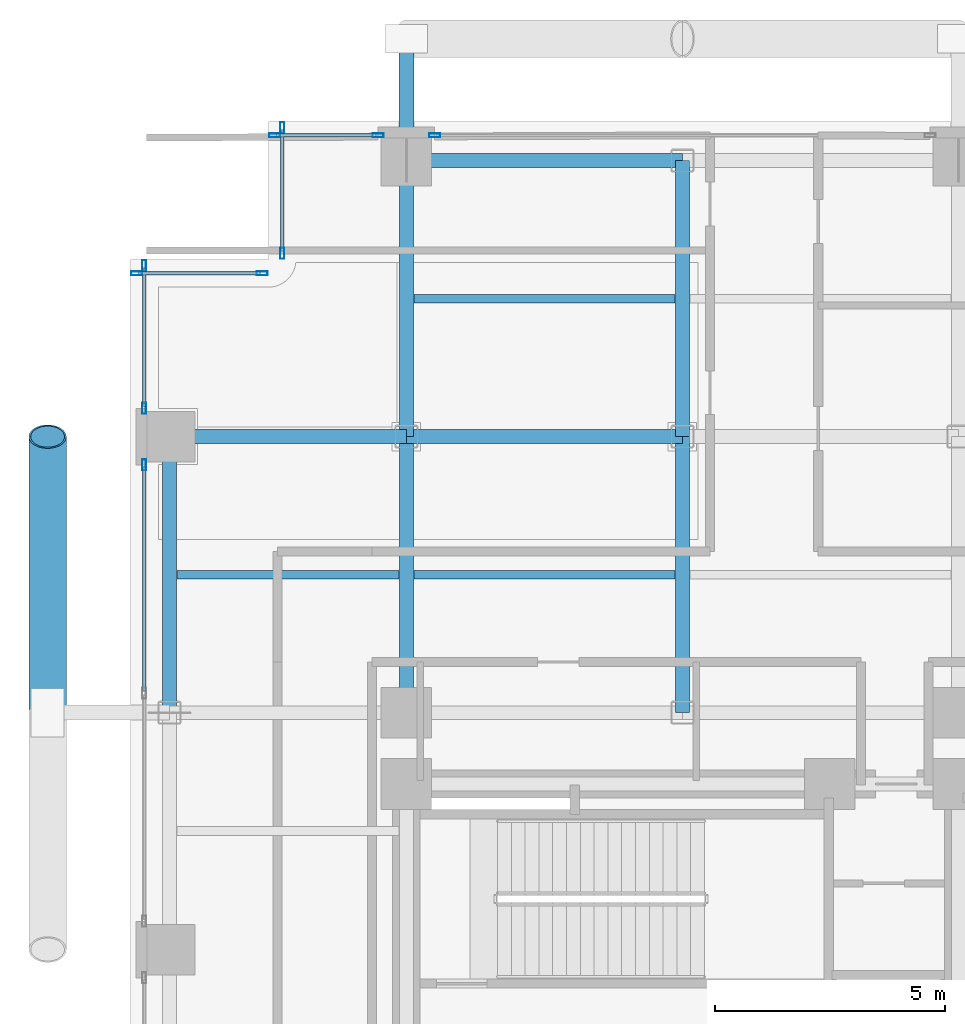
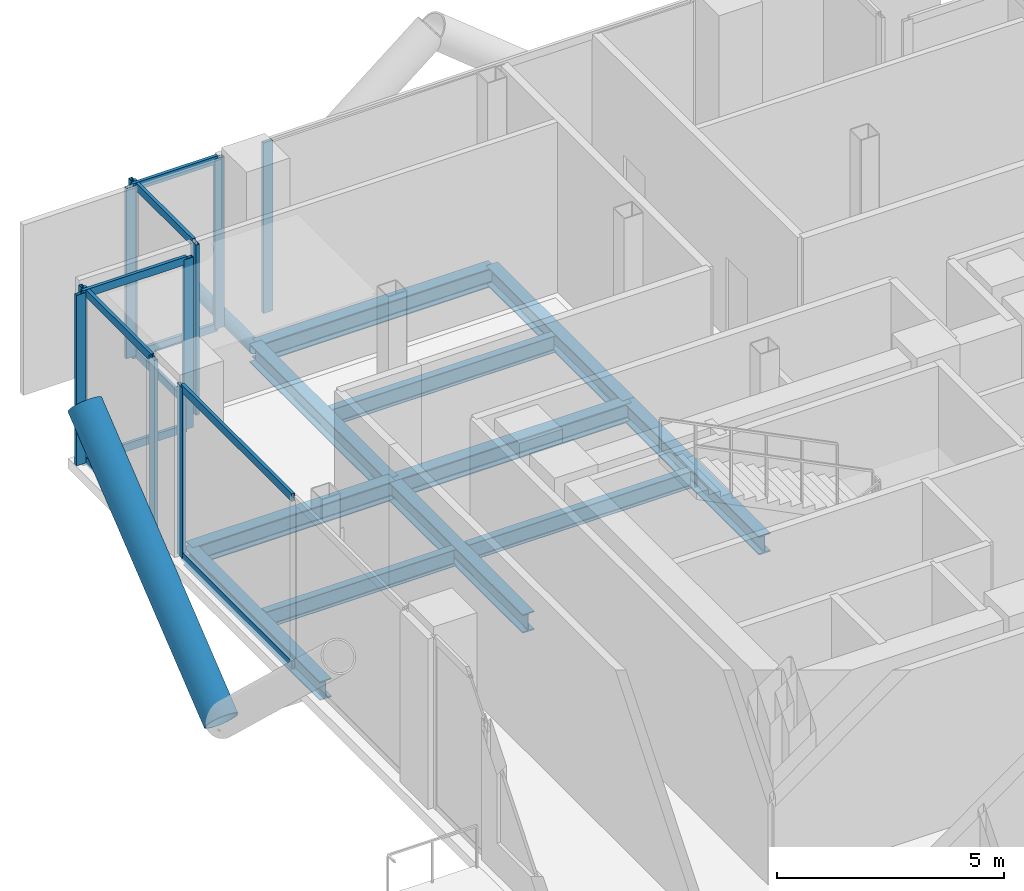
# One storey, part 12 of 25: 22 members, 11 beams, 6 elements without a shape of their own.
"""IFC4 building model written with IfcOpenShell, lengths in metres."""

from ifc_helpers import new_model, si_unit, direction, frame, origin, origin_2d, place, context, subcontext, project, spatial, hollow_rectangle, hollow_circle, i_section, extrude, material, layer, layer_set, material_profile, profile_set, type_object, element, aggregate, save


model = new_model("IFC4")

# Units and contexts
model_context = context("Model", 3, precision=1e-05, world=origin(), true_north=direction((0.0, 1.0)))
body_context = subcontext(model_context, "Body", "Model", "MODEL_VIEW")
ifc_project = project(units=[si_unit("LENGTHUNIT", "METRE"), si_unit("AREAUNIT", "SQUARE_METRE"), si_unit("VOLUMEUNIT", "CUBIC_METRE"), si_unit("PLANEANGLEUNIT", "RADIAN"), si_unit("MASSUNIT", "GRAM", prefix="KILO"), si_unit("THERMODYNAMICTEMPERATUREUNIT", "KELVIN"), si_unit("POWERUNIT", "WATT")], contexts=[model_context])

# Site, building, storey
site_placement = place(None, origin())
site = spatial("IfcSite", under=ifc_project, at=site_placement, CompositionType="ELEMENT")
building_placement = place(site_placement, origin())
building = spatial("IfcBuilding", under=site, at=building_placement, Name="Svarakhadi Broadcast Tower", CompositionType="ELEMENT")
storey_placement = place(building_placement, frame((0.0, 0.0, 110.85009765625)))
storey = spatial("IfcBuildingStorey", under=building, at=storey_placement, Name="L26", CompositionType="ELEMENT", Elevation=110.85009765625)

# Beams
ifc_material_1 = material(Name="Steel S355J2 (IS 2062 E350C)", Category="steel")
ifc_material_profile_1 = material_profile(ifc_material_1, i_section(OverallWidth=0.18994140625, OverallDepth=0.449951171875, WebThickness=0.009521484375, FlangeThickness=0.0146484375, FilletRadius=0.02099609375, at=origin_2d()), Name="NPB 450x190x78")
ifc_profile_set_1 = profile_set([ifc_material_profile_1], Name="Steel S355J2 (IS 2062 E350C)")
beam_type_1 = type_object("IfcBeamType", Name="Beam_NPB450", PredefinedType="BEAM", material=ifc_profile_set_1)
beam_1_placement = place(storey_placement, frame((1.010009765625, 32.14990234375, -0.5), z_axis=(1.0, 0.0, 0.0), x_axis=(0.0, 1.0, 0.0)))
element("IfcBeam", 1, at=beam_1_placement, inside=storey, type_object=beam_type_1, Name="L26 Secondary Composite Beam SB005", PredefinedType="BEAM", context=body_context, shape_type="SweptSolid", body=[
    extrude(i_section(OverallWidth=0.18994140625, OverallDepth=0.449951171875, WebThickness=0.009521484375, FlangeThickness=0.0146484375, FilletRadius=0.02099609375, at=origin_2d()), origin(), (0.0, 0.0, 1.0), 4.830078125),
])
for number, where, z_axis, x_axis, name in (
    (2, (6.159912109375, 32.14990234375, -0.5), (1.0, 0.0, 0.0), (0.0, 1.0, 0.0), "L26 Secondary Composite Beam SB009"),
    (3, (6.159912109375, 38.14990234375, -0.5), (1.0, 0.0, 0.0), (0.0, 1.0, 0.0), "L26 Secondary Composite Beam SB010"),
):
    element("IfcBeam", number, at=place(storey_placement, frame(where, z_axis=z_axis, x_axis=x_axis)), inside=storey, type_object=beam_type_1, Name=name, PredefinedType="BEAM", context=body_context, shape_type="SweptSolid", body=[
        extrude(i_section(OverallWidth=0.18994140625, OverallDepth=0.449951171875, WebThickness=0.009521484375, FlangeThickness=0.0146484375, FilletRadius=0.02099609375, at=origin_2d()), origin(), (0.0, 0.0, 1.0), 5.68017578125),
    ])

# Curtain wall, member
ifc_material_2 = material(Name="Anodised Bronze Aluminium AA 6063-T6", Category="aluminium")
ifc_layer = layer(ifc_material_2, 0.239990234375)
ifc_layer_set = layer_set([ifc_layer], Name="Anodised Bronze Aluminium AA 6063-T6")
curtain_wall_type = type_object("IfcCurtainWallType", Name="CW_Sys_06", PredefinedType="NOTDEFINED", material=ifc_layer_set)
curtain_wall_1_placement = place(storey_placement, origin())
curtain_wall_1 = element("IfcCurtainWall", 4, at=curtain_wall_1_placement, inside=storey, type_object=curtain_wall_type, Name="L26 West Curtain Wall 03 Bay 2", PredefinedType="NOTDEFINED")
ifc_material_profile_2 = material_profile(ifc_material_2, hollow_rectangle(XDim=0.090087890625, YDim=0.239990234375, WallThickness=0.006103515625, at=origin_2d()), Name="ALU MULLION 240x90x6")
ifc_profile_set_2 = profile_set([ifc_material_profile_2], Name="Anodised Bronze Aluminium AA 6063-T6")
member_type_1 = type_object("IfcMemberType", Name="CW_Sys_06_Mul", PredefinedType="MULLION", material=ifc_profile_set_2)
member_1_placement = place(storey_placement, frame((0.300048828125, 34.534912109375, 0.0), z_axis=(0.0, 0.0, 1.0), x_axis=(-1.0, 0.0, 0.0)))
member_1 = element("IfcMember", 5, at=member_1_placement, type_object=member_type_1, Name="CW-06 mullion 3", PredefinedType="MULLION", context=body_context, shape_type="SweptSolid", body=[
    extrude(hollow_rectangle(XDim=0.090087890625, YDim=0.239990234375, WallThickness=0.006103515625, at=origin_2d()), origin(), (0.0, 0.0, 1.0), 4.574951171875),
])

# Curtain wall, members
curtain_wall_2_placement = place(storey_placement, origin())
curtain_wall_2 = element("IfcCurtainWall", 6, at=curtain_wall_2_placement, inside=storey, type_object=curtain_wall_type, Name="L26 West Curtain Wall 03 Bay 3", PredefinedType="NOTDEFINED")
member_2_placement = place(storey_placement, frame((0.300048828125, 35.764892578125, 0.0), z_axis=(0.0, 0.0, 1.0), x_axis=(-1.0, 0.0, 0.0)))
member_2 = element("IfcMember", 7, at=member_2_placement, type_object=member_type_1, Name="CW-06 mullion 1", PredefinedType="MULLION", context=body_context, shape_type="SweptSolid", body=[
    extrude(hollow_rectangle(XDim=0.090087890625, YDim=0.239990234375, WallThickness=0.006103515625, at=origin_2d()), origin(), (0.0, 0.0, 1.0), 4.574951171875),
])
member_3_placement = place(storey_placement, frame((0.300048828125, 38.864990234375, 0.0), z_axis=(0.0, 0.0, 1.0), x_axis=(-1.0, 0.0, 0.0)))
member_3 = element("IfcMember", 8, at=member_3_placement, type_object=member_type_1, Name="CW-06 mullion 2", PredefinedType="MULLION", context=body_context, shape_type="SweptSolid", body=[
    extrude(hollow_rectangle(XDim=0.090087890625, YDim=0.239990234375, WallThickness=0.006103515625, at=origin_2d()), origin(), (0.0, 0.0, 1.0), 4.574951171875),
])

curtain_wall_3_placement = place(storey_placement, origin())
curtain_wall_3 = element("IfcCurtainWall", 9, at=curtain_wall_3_placement, inside=storey, type_object=curtain_wall_type, Name="L26 Unitised Facade Curtain Wall 04", PredefinedType="NOTDEFINED")
member_4_placement = place(storey_placement, frame((0.135009765625, 38.699951171875, 0.0), z_axis=(0.0, 0.0, 1.0), x_axis=(0.0, 1.0, 0.0)))
member_4 = element("IfcMember", 10, at=member_4_placement, type_object=member_type_1, Name="CW-06 mullion 1", PredefinedType="MULLION", context=body_context, shape_type="SweptSolid", body=[
    extrude(hollow_rectangle(XDim=0.090087890625, YDim=0.239990234375, WallThickness=0.006103515625, at=origin_2d()), origin(), (0.0, 0.0, 1.0), 4.574951171875),
])
member_5_placement = place(storey_placement, frame((2.864990234375, 38.699951171875, 0.0), z_axis=(0.0, 0.0, 1.0), x_axis=(0.0, 1.0, 0.0)))
member_5 = element("IfcMember", 11, at=member_5_placement, type_object=member_type_1, Name="CW-06 mullion 2", PredefinedType="MULLION", context=body_context, shape_type="SweptSolid", body=[
    extrude(hollow_rectangle(XDim=0.090087890625, YDim=0.239990234375, WallThickness=0.006103515625, at=origin_2d()), origin(), (0.0, 0.0, 1.0), 4.574951171875),
])

curtain_wall_4_placement = place(storey_placement, origin())
curtain_wall_4 = element("IfcCurtainWall", 12, at=curtain_wall_4_placement, inside=storey, type_object=curtain_wall_type, Name="L26 Unitised Facade Curtain Wall 05", PredefinedType="NOTDEFINED")
member_6_placement = place(storey_placement, frame((3.300048828125, 39.135009765625, 0.0), z_axis=(0.0, 0.0, 1.0), x_axis=(-1.0, 0.0, 0.0)))
member_6 = element("IfcMember", 13, at=member_6_placement, type_object=member_type_1, Name="CW-06 mullion 1", PredefinedType="MULLION", context=body_context, shape_type="SweptSolid", body=[
    extrude(hollow_rectangle(XDim=0.090087890625, YDim=0.239990234375, WallThickness=0.006103515625, at=origin_2d()), origin(), (0.0, 0.0, 1.0), 4.574951171875),
])
member_7_placement = place(storey_placement, frame((3.300048828125, 41.864990234375, 0.0), z_axis=(0.0, 0.0, 1.0), x_axis=(-1.0, 0.0, 0.0)))
member_7 = element("IfcMember", 14, at=member_7_placement, type_object=member_type_1, Name="CW-06 mullion 2", PredefinedType="MULLION", context=body_context, shape_type="SweptSolid", body=[
    extrude(hollow_rectangle(XDim=0.090087890625, YDim=0.239990234375, WallThickness=0.006103515625, at=origin_2d()), origin(), (0.0, 0.0, 1.0), 4.574951171875),
])

curtain_wall_5_placement = place(storey_placement, origin())
curtain_wall_5 = element("IfcCurtainWall", 15, at=curtain_wall_5_placement, inside=storey, type_object=curtain_wall_type, Name="L26 Unitised Facade Curtain Wall 06 Bay 1", PredefinedType="NOTDEFINED")
member_8_placement = place(storey_placement, frame((3.135009765625, 41.699951171875, 0.0), z_axis=(0.0, 0.0, 1.0), x_axis=(0.0, 1.0, 0.0)))
member_8 = element("IfcMember", 16, at=member_8_placement, type_object=member_type_1, Name="CW-06 mullion 1", PredefinedType="MULLION", context=body_context, shape_type="SweptSolid", body=[
    extrude(hollow_rectangle(XDim=0.090087890625, YDim=0.239990234375, WallThickness=0.006103515625, at=origin_2d()), origin(), (0.0, 0.0, 1.0), 4.574951171875),
])
member_9_placement = place(storey_placement, frame((5.385009765625, 41.699951171875, 0.0), z_axis=(0.0, 0.0, 1.0), x_axis=(0.0, 1.0, 0.0)))
member_9 = element("IfcMember", 17, at=member_9_placement, type_object=member_type_1, Name="CW-06 mullion 2", PredefinedType="MULLION", context=body_context, shape_type="SweptSolid", body=[
    extrude(hollow_rectangle(XDim=0.090087890625, YDim=0.239990234375, WallThickness=0.006103515625, at=origin_2d()), origin(), (0.0, 0.0, 1.0), 4.574951171875),
])

# Curtain wall, member
curtain_wall_6_placement = place(storey_placement, origin())
curtain_wall_6 = element("IfcCurtainWall", 18, at=curtain_wall_6_placement, inside=storey, type_object=curtain_wall_type, Name="L26 Unitised Facade Curtain Wall 06 Bay 2", PredefinedType="NOTDEFINED")
member_10_placement = place(storey_placement, frame((6.614990234375, 41.699951171875, 0.0), z_axis=(0.0, 0.0, 1.0), x_axis=(0.0, 1.0, 0.0)))
member_10 = element("IfcMember", 19, at=member_10_placement, type_object=member_type_1, Name="CW-06 mullion 1", PredefinedType="MULLION", context=body_context, shape_type="SweptSolid", body=[
    extrude(hollow_rectangle(XDim=0.090087890625, YDim=0.239990234375, WallThickness=0.006103515625, at=origin_2d()), origin(), (0.0, 0.0, 1.0), 4.574951171875),
])
aggregate(curtain_wall_6, [member_10])

# Member
ifc_material_profile_3 = material_profile(ifc_material_2, hollow_rectangle(XDim=0.080078125, YDim=0.2099609375, WallThickness=0.0048828125, at=origin_2d()), Name="ALU TRANSOM 210x80x5")
ifc_profile_set_3 = profile_set([ifc_material_profile_3], Name="Anodised Bronze Aluminium AA 6063-T6")
member_type_2 = type_object("IfcMemberType", Name="CW_Sys_06_Trn", PredefinedType="USERDEFINED", material=ifc_profile_set_3)
member_11_placement = place(storey_placement, frame((0.300048828125, 29.6201171875, 0.039794921875), z_axis=(0.0, 1.0, 0.0), x_axis=(-1.0, 0.0, 0.0)))
member_11 = element("IfcMember", 20, at=member_11_placement, type_object=member_type_2, Name="CW-06 transom 2.1", ObjectType="TRANSOM", PredefinedType="USERDEFINED", context=body_context, shape_type="SweptSolid", body=[
    extrude(hollow_rectangle(XDim=0.080078125, YDim=0.2099609375, WallThickness=0.0048828125, at=origin_2d()), origin(), (0.0, 0.0, 1.0), 4.869873046875),
])

member_12_placement = place(storey_placement, frame((0.300048828125, 29.6201171875, 4.534912109375), z_axis=(0.0, 1.0, 0.0), x_axis=(-1.0, 0.0, 0.0)))
member_12 = element("IfcMember", 21, at=member_12_placement, type_object=member_type_2, Name="CW-06 transom 2.2", ObjectType="TRANSOM", PredefinedType="USERDEFINED", context=body_context, shape_type="SweptSolid", body=[
    extrude(hollow_rectangle(XDim=0.080078125, YDim=0.2099609375, WallThickness=0.0048828125, at=origin_2d()), origin(), (0.0, 0.0, 1.0), 4.869873046875),
])

aggregate(curtain_wall_1, [member_1, member_11, member_12])

member_13_placement = place(storey_placement, frame((0.300048828125, 35.81005859375, 0.039794921875), z_axis=(0.0, 1.0, 0.0), x_axis=(-1.0, 0.0, 0.0)))
member_13 = element("IfcMember", 22, at=member_13_placement, type_object=member_type_2, Name="CW-06 transom 1.1", ObjectType="TRANSOM", PredefinedType="USERDEFINED", context=body_context, shape_type="SweptSolid", body=[
    extrude(hollow_rectangle(XDim=0.080078125, YDim=0.2099609375, WallThickness=0.0048828125, at=origin_2d()), origin(), (0.0, 0.0, 1.0), 3.010009765625),
])

member_14_placement = place(storey_placement, frame((0.300048828125, 35.81005859375, 4.534912109375), z_axis=(0.0, 1.0, 0.0), x_axis=(-1.0, 0.0, 0.0)))
member_14 = element("IfcMember", 23, at=member_14_placement, type_object=member_type_2, Name="CW-06 transom 1.2", ObjectType="TRANSOM", PredefinedType="USERDEFINED", context=body_context, shape_type="SweptSolid", body=[
    extrude(hollow_rectangle(XDim=0.080078125, YDim=0.2099609375, WallThickness=0.0048828125, at=origin_2d()), origin(), (0.0, 0.0, 1.0), 3.010009765625),
])

aggregate(curtain_wall_2, [member_2, member_3, member_13, member_14])

member_15_placement = place(storey_placement, frame((0.179931640625, 38.699951171875, 0.039794921875), z_axis=(1.0, 0.0, 0.0), x_axis=(0.0, 1.0, 0.0)))
member_15 = element("IfcMember", 24, at=member_15_placement, type_object=member_type_2, Name="CW-06 transom 1.1", ObjectType="TRANSOM", PredefinedType="USERDEFINED", context=body_context, shape_type="SweptSolid", body=[
    extrude(hollow_rectangle(XDim=0.080078125, YDim=0.2099609375, WallThickness=0.0048828125, at=origin_2d()), origin(), (0.0, 0.0, 1.0), 2.64013671875),
])

member_16_placement = place(storey_placement, frame((0.179931640625, 38.699951171875, 4.534912109375), z_axis=(1.0, 0.0, 0.0), x_axis=(0.0, 1.0, 0.0)))
member_16 = element("IfcMember", 25, at=member_16_placement, type_object=member_type_2, Name="CW-06 transom 1.2", ObjectType="TRANSOM", PredefinedType="USERDEFINED", context=body_context, shape_type="SweptSolid", body=[
    extrude(hollow_rectangle(XDim=0.080078125, YDim=0.2099609375, WallThickness=0.0048828125, at=origin_2d()), origin(), (0.0, 0.0, 1.0), 2.64013671875),
])

aggregate(curtain_wall_3, [member_4, member_5, member_15, member_16])

member_17_placement = place(storey_placement, frame((3.300048828125, 39.179931640625, 0.039794921875), z_axis=(0.0, 1.0, 0.0), x_axis=(-1.0, 0.0, 0.0)))
member_17 = element("IfcMember", 26, at=member_17_placement, type_object=member_type_2, Name="CW-06 transom 1.1", ObjectType="TRANSOM", PredefinedType="USERDEFINED", context=body_context, shape_type="SweptSolid", body=[
    extrude(hollow_rectangle(XDim=0.080078125, YDim=0.2099609375, WallThickness=0.0048828125, at=origin_2d()), origin(), (0.0, 0.0, 1.0), 2.64013671875),
])

member_18_placement = place(storey_placement, frame((3.300048828125, 39.179931640625, 4.534912109375), z_axis=(0.0, 1.0, 0.0), x_axis=(-1.0, 0.0, 0.0)))
member_18 = element("IfcMember", 27, at=member_18_placement, type_object=member_type_2, Name="CW-06 transom 1.2", ObjectType="TRANSOM", PredefinedType="USERDEFINED", context=body_context, shape_type="SweptSolid", body=[
    extrude(hollow_rectangle(XDim=0.080078125, YDim=0.2099609375, WallThickness=0.0048828125, at=origin_2d()), origin(), (0.0, 0.0, 1.0), 2.64013671875),
])

aggregate(curtain_wall_4, [member_6, member_7, member_17, member_18])

member_19_placement = place(storey_placement, frame((3.179931640625, 41.699951171875, 0.039794921875), z_axis=(1.0, 0.0, 0.0), x_axis=(0.0, 1.0, 0.0)))
member_19 = element("IfcMember", 28, at=member_19_placement, type_object=member_type_2, Name="CW-06 transom 1.1", ObjectType="TRANSOM", PredefinedType="USERDEFINED", context=body_context, shape_type="SweptSolid", body=[
    extrude(hollow_rectangle(XDim=0.080078125, YDim=0.2099609375, WallThickness=0.0048828125, at=origin_2d()), origin(), (0.0, 0.0, 1.0), 2.16015625),
])

member_20_placement = place(storey_placement, frame((3.179931640625, 41.699951171875, 4.534912109375), z_axis=(1.0, 0.0, 0.0), x_axis=(0.0, 1.0, 0.0)))
member_20 = element("IfcMember", 29, at=member_20_placement, type_object=member_type_2, Name="CW-06 transom 1.2", ObjectType="TRANSOM", PredefinedType="USERDEFINED", context=body_context, shape_type="SweptSolid", body=[
    extrude(hollow_rectangle(XDim=0.080078125, YDim=0.2099609375, WallThickness=0.0048828125, at=origin_2d()), origin(), (0.0, 0.0, 1.0), 2.16015625),
])

aggregate(curtain_wall_5, [member_8, member_9, member_19, member_20])

# Members
ifc_material_3 = material(Name="Steel S460ML (IS 2062 E450BR)", Category="steel")
ifc_material_profile_4 = material_profile(ifc_material_3, hollow_circle(Radius=0.406494140625, WallThickness=0.0400390625, at=origin_2d()), Name="CHS 813x40")
ifc_profile_set_4 = profile_set([ifc_material_profile_4], Name="Steel S460ML (IS 2062 E450BR)")
member_type_3 = type_object("IfcMemberType", Name="Exo_Brace_CHS813", PredefinedType="BRACE", material=ifc_profile_set_4)
member_21_placement = place(storey_placement, frame((-1.800048828125, 29.14990234375, -0.43701171875), z_axis=(0.0, 0.777706721002, 0.628627279163), x_axis=(-1.0, 0.0, 0.0)))
element("IfcMember", 30, at=member_21_placement, inside=storey, type_object=member_type_3, Name="L26 Exposed Bronze Exoskeleton Diagonal W05", PredefinedType="BRACE", context=body_context, shape_type="SweptSolid", body=[
    extrude(hollow_circle(Radius=0.406494140625, WallThickness=0.0400390625, at=origin_2d()), origin(), (0.0, 0.0, 1.0), 7.715087890625),
])
ifc_material_profile_5 = material_profile(ifc_material_3, hollow_circle(Radius=0.161865234375, WallThickness=0.01611328125, at=origin_2d()), Name="CHS 323.9x16")
ifc_profile_set_5 = profile_set([ifc_material_profile_5], Name="Steel S460ML (IS 2062 E450BR)")
member_type_4 = type_object("IfcMemberType", Name="Exo_Radial_Strut_Z2", PredefinedType="STRUT", material=ifc_profile_set_5)
member_22_placement = place(storey_placement, frame((6.0, 43.800048828125, -0.43701171875), z_axis=(0.0, -1.0, 0.0), x_axis=(1.0, 0.0, 0.0)))
element("IfcMember", 31, at=member_22_placement, inside=storey, type_object=member_type_4, Name="L26 Exoskeleton Radial Tie Strut N10", PredefinedType="STRUT", context=body_context, shape_type="SweptSolid", body=[
    extrude(hollow_circle(Radius=0.161865234375, WallThickness=0.01611328125, at=origin_2d()), origin(), (0.0, 0.0, 1.0), 2.650146484375),
])

# Beams
ifc_material_profile_6 = material_profile(ifc_material_1, i_section(OverallWidth=0.300048828125, OverallDepth=0.5, WebThickness=0.014404296875, FlangeThickness=0.028076171875, FilletRadius=0.027099609375, at=origin_2d()), Name="WPB 500x300x187")
ifc_profile_set_6 = profile_set([ifc_material_profile_6], Name="Steel S355J2 (IS 2062 E350C)")
beam_type_2 = type_object("IfcBeamType", Name="Girder_WPB500", PredefinedType="USERDEFINED", material=ifc_profile_set_6)
beam_2_placement = place(storey_placement, frame((0.85009765625, 35.14990234375, -0.525146484375), z_axis=(1.0, 0.0, 0.0), x_axis=(0.0, 1.0, 0.0)))
element("IfcBeam", 32, at=beam_2_placement, inside=storey, type_object=beam_type_2, Name="L26 Primary E-W Girder G035", ObjectType="GIRDER", PredefinedType="USERDEFINED", context=body_context, shape_type="SweptSolid", body=[
    extrude(i_section(OverallWidth=0.300048828125, OverallDepth=0.5, WebThickness=0.014404296875, FlangeThickness=0.028076171875, FilletRadius=0.027099609375, at=origin_2d()), origin(), (0.0, 0.0, 1.0), 5.14990234375),
])
for number, where, z_axis, x_axis, name in (
    (33, (6.0, 35.14990234375, -0.525146484375), (1.0, 0.0, 0.0), (0.0, 1.0, 0.0), "L26 Primary E-W Girder G036"),
    (34, (6.0, 41.14990234375, -0.525146484375), (1.0, 0.0, 0.0), (0.0, 1.0, 0.0), "L26 Primary E-W Girder G038"),
    (35, (0.85009765625, 29.14990234375, -0.525146484375), (0.0, 1.0, 0.0), (-1.0, 0.0, 0.0), "L26 Primary N-S Girder G044"),
    (36, (6.0, 29.14990234375, -0.525146484375), (0.0, 1.0, 0.0), (-1.0, 0.0, 0.0), "L26 Primary N-S Girder G049"),
    (37, (6.0, 35.14990234375, -0.525146484375), (0.0, 1.0, 0.0), (-1.0, 0.0, 0.0), "L26 Primary N-S Girder G050"),
    (38, (12.0, 29.14990234375, -0.525146484375), (0.0, 1.0, 0.0), (-1.0, 0.0, 0.0), "L26 Primary N-S Girder G054"),
    (39, (12.0, 35.14990234375, -0.525146484375), (0.0, 1.0, 0.0), (-1.0, 0.0, 0.0), "L26 Primary N-S Girder G055"),
):
    element("IfcBeam", number, at=place(storey_placement, frame(where, z_axis=z_axis, x_axis=x_axis)), inside=storey, type_object=beam_type_2, Name=name, ObjectType="GIRDER", PredefinedType="USERDEFINED", context=body_context, shape_type="SweptSolid", body=[
        extrude(i_section(OverallWidth=0.300048828125, OverallDepth=0.5, WebThickness=0.014404296875, FlangeThickness=0.028076171875, FilletRadius=0.027099609375, at=origin_2d()), origin(), (0.0, 0.0, 1.0), 6.0),
    ])

save(model, "model.ifc")
